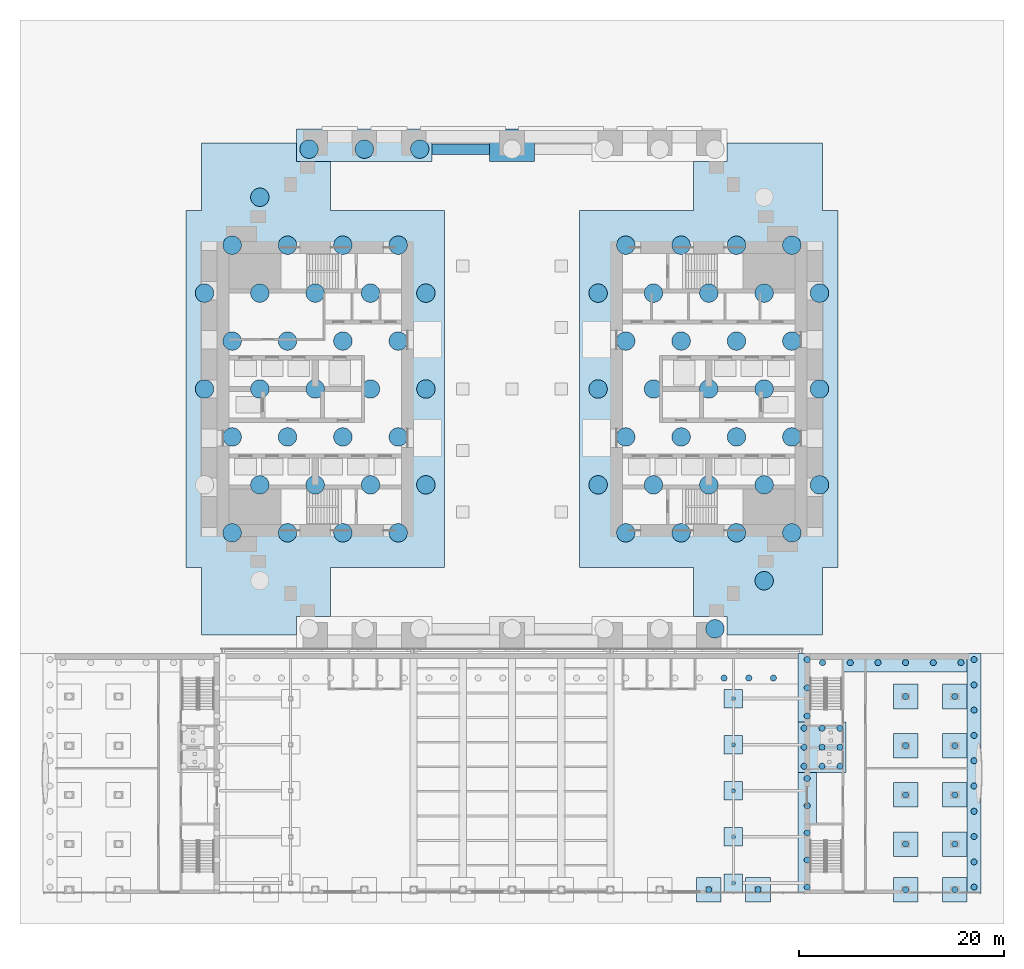
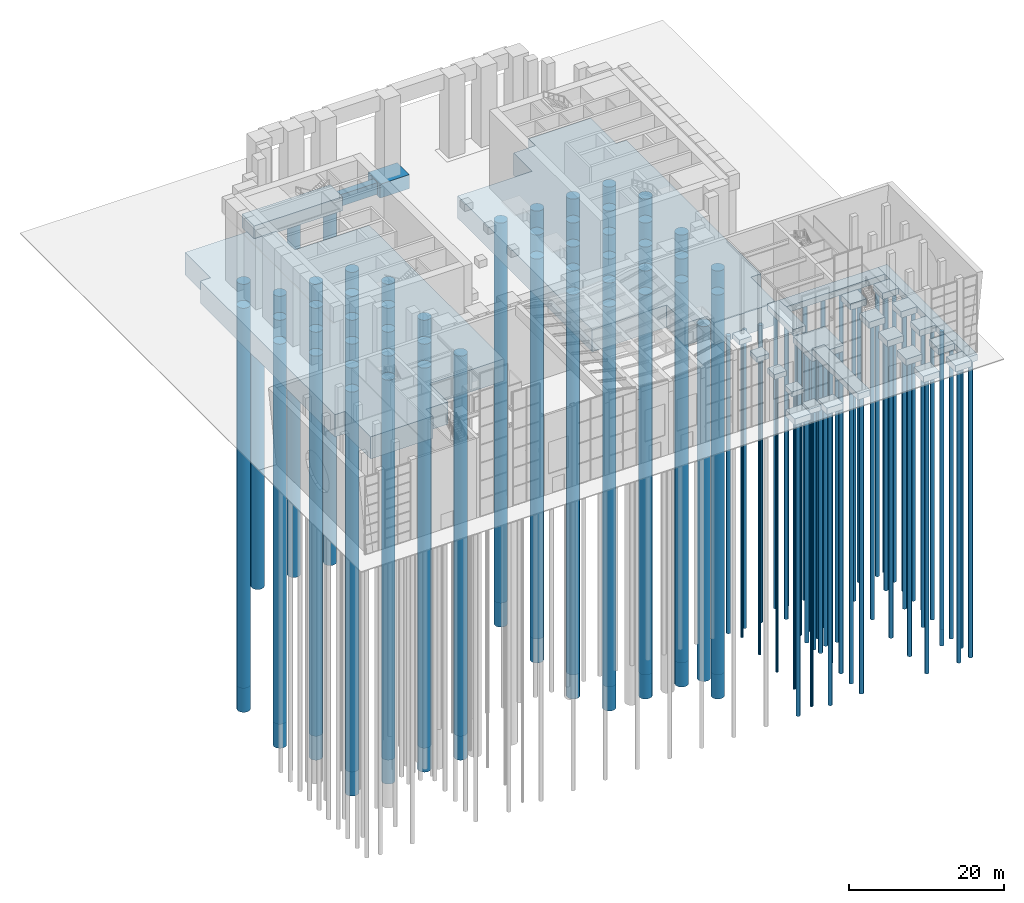
# One storey, part 2 of 58: 120 piles, 27 footings.
"""IFC4 building model written with IfcOpenShell, lengths in metres."""

from ifc_helpers import new_model, si_unit, direction, frame, origin, origin_2d, place, context, subcontext, project, spatial, polyline, circle, outline, extrude, material, material_profile, profile_set, type_object, element, save


model = new_model("IFC4")

# Units and contexts
model_context = context("Model", 3, precision=1e-05, world=origin(), true_north=direction((0.0, 1.0)))
body_context = subcontext(model_context, "Body", "Model", "MODEL_VIEW")
ifc_project = project(units=[si_unit("LENGTHUNIT", "METRE"), si_unit("AREAUNIT", "SQUARE_METRE"), si_unit("VOLUMEUNIT", "CUBIC_METRE"), si_unit("PLANEANGLEUNIT", "RADIAN"), si_unit("MASSUNIT", "GRAM", prefix="KILO")], contexts=[model_context])

# Site, building, storey
site_placement = place(None, origin())
site = spatial("IfcSite", under=ifc_project, at=site_placement, CompositionType="ELEMENT")
building_placement = place(site_placement, origin())
building = spatial("IfcBuilding", under=site, at=building_placement, Name="Baori Bourse Tower", CompositionType="ELEMENT")
storey_placement = place(building_placement, origin())
storey = spatial("IfcBuildingStorey", under=building, at=storey_placement, Name="L00", CompositionType="ELEMENT", Elevation=0.0)

# Piles
ifc_material_1 = material(Name="Concrete f'c 40 MPa", Category="concrete")
ifc_material_profile_1 = material_profile(ifc_material_1, circle(Radius=0.89990234375, at=origin_2d()), Name="RC D1800")
ifc_profile_set_1 = profile_set([ifc_material_profile_1], Name="Concrete f'c 40 MPa")
pile_type_1 = type_object("IfcPileType", Name="Bored pile RC D1800", PredefinedType="BORED", material=ifc_profile_set_1)
for number, where, z_axis, x_axis, name in (
    (1, (53.39990234375, 5.2939453125, -5.199951171875), (0.0, 0.0, -1.0), (1.0, 0.0, 0.0), "Bored pile RF1-01"),
    (2, (39.89990234375, 9.970458984375, -5.199951171875), (0.0, 0.0, -1.0), (1.0, 0.0, 0.0), "Bored pile RF1-02"),
    (3, (45.300048828125, 9.970458984375, -5.199951171875), (0.0, 0.0, -1.0), (1.0, 0.0, 0.0), "Bored pile RF1-03"),
    (4, (50.699951171875, 9.970458984375, -5.199951171875), (0.0, 0.0, -1.0), (1.0, 0.0, 0.0), "Bored pile RF1-04"),
    (5, (56.10009765625, 9.970458984375, -5.199951171875), (0.0, 0.0, -1.0), (1.0, 0.0, 0.0), "Bored pile RF1-05"),
    (6, (37.199951171875, 14.64697265625, -5.199951171875), (0.0, 0.0, -1.0), (1.0, 0.0, 0.0), "Bored pile RF1-06"),
    (7, (42.60009765625, 14.64697265625, -5.199951171875), (0.0, 0.0, -1.0), (1.0, 0.0, 0.0), "Bored pile RF1-07"),
    (8, (48.0, 14.64697265625, -5.199951171875), (0.0, 0.0, -1.0), (1.0, 0.0, 0.0), "Bored pile RF1-08"),
    (9, (53.39990234375, 14.64697265625, -5.199951171875), (0.0, 0.0, -1.0), (1.0, 0.0, 0.0), "Bored pile RF1-09"),
    (10, (58.800048828125, 14.64697265625, -5.199951171875), (0.0, 0.0, -1.0), (1.0, 0.0, 0.0), "Bored pile RF1-10"),
    (11, (39.89990234375, 19.323486328125, -5.199951171875), (0.0, 0.0, -1.0), (1.0, 0.0, 0.0), "Bored pile RF1-11"),
    (12, (45.300048828125, 19.323486328125, -5.199951171875), (0.0, 0.0, -1.0), (1.0, 0.0, 0.0), "Bored pile RF1-12"),
    (13, (50.699951171875, 19.323486328125, -5.199951171875), (0.0, 0.0, -1.0), (1.0, 0.0, 0.0), "Bored pile RF1-13"),
    (14, (56.10009765625, 19.323486328125, -5.199951171875), (0.0, 0.0, -1.0), (1.0, 0.0, 0.0), "Bored pile RF1-14"),
    (15, (37.199951171875, 24.0, -5.199951171875), (0.0, 0.0, -1.0), (1.0, 0.0, 0.0), "Bored pile RF1-15"),
    (16, (42.60009765625, 24.0, -5.199951171875), (0.0, 0.0, -1.0), (1.0, 0.0, 0.0), "Bored pile RF1-16"),
    (17, (48.0, 24.0, -5.199951171875), (0.0, 0.0, -1.0), (1.0, 0.0, 0.0), "Bored pile RF1-17"),
    (18, (53.39990234375, 24.0, -5.199951171875), (0.0, 0.0, -1.0), (1.0, 0.0, 0.0), "Bored pile RF1-18"),
    (19, (58.800048828125, 24.0, -5.199951171875), (0.0, 0.0, -1.0), (1.0, 0.0, 0.0), "Bored pile RF1-19"),
    (20, (39.89990234375, 28.676513671875, -5.199951171875), (0.0, 0.0, -1.0), (1.0, 0.0, 0.0), "Bored pile RF1-20"),
    (21, (45.300048828125, 28.676513671875, -5.199951171875), (0.0, 0.0, -1.0), (1.0, 0.0, 0.0), "Bored pile RF1-21"),
    (22, (50.699951171875, 28.676513671875, -5.199951171875), (0.0, 0.0, -1.0), (1.0, 0.0, 0.0), "Bored pile RF1-22"),
    (23, (56.10009765625, 28.676513671875, -5.199951171875), (0.0, 0.0, -1.0), (1.0, 0.0, 0.0), "Bored pile RF1-23"),
    (24, (37.199951171875, 33.35302734375, -5.199951171875), (0.0, 0.0, -1.0), (1.0, 0.0, 0.0), "Bored pile RF1-24"),
    (25, (42.60009765625, 33.35302734375, -5.199951171875), (0.0, 0.0, -1.0), (1.0, 0.0, 0.0), "Bored pile RF1-25"),
    (26, (48.0, 33.35302734375, -5.199951171875), (0.0, 0.0, -1.0), (1.0, 0.0, 0.0), "Bored pile RF1-26"),
    (27, (53.39990234375, 33.35302734375, -5.199951171875), (0.0, 0.0, -1.0), (1.0, 0.0, 0.0), "Bored pile RF1-27"),
    (28, (58.800048828125, 33.35302734375, -5.199951171875), (0.0, 0.0, -1.0), (1.0, 0.0, 0.0), "Bored pile RF1-28"),
    (29, (39.89990234375, 38.029541015625, -5.199951171875), (0.0, 0.0, -1.0), (1.0, 0.0, 0.0), "Bored pile RF1-29"),
    (30, (45.300048828125, 38.029541015625, -5.199951171875), (0.0, 0.0, -1.0), (1.0, 0.0, 0.0), "Bored pile RF1-30"),
    (31, (50.699951171875, 38.029541015625, -5.199951171875), (0.0, 0.0, -1.0), (1.0, 0.0, 0.0), "Bored pile RF1-31"),
    (32, (56.10009765625, 38.029541015625, -5.199951171875), (0.0, 0.0, -1.0), (1.0, 0.0, 0.0), "Bored pile RF1-32"),
    (33, (1.5, 9.970458984375, -5.199951171875), (0.0, 0.0, -1.0), (1.0, 0.0, 0.0), "Bored pile RF2-02"),
    (34, (6.89990234375, 9.970458984375, -5.199951171875), (0.0, 0.0, -1.0), (1.0, 0.0, 0.0), "Bored pile RF2-03"),
    (35, (12.300048828125, 9.970458984375, -5.199951171875), (0.0, 0.0, -1.0), (1.0, 0.0, 0.0), "Bored pile RF2-04"),
    (36, (17.699951171875, 9.970458984375, -5.199951171875), (0.0, 0.0, -1.0), (1.0, 0.0, 0.0), "Bored pile RF2-05"),
    (37, (4.199951171875, 14.64697265625, -5.199951171875), (0.0, 0.0, -1.0), (1.0, 0.0, 0.0), "Bored pile RF2-07"),
    (38, (9.60009765625, 14.64697265625, -5.199951171875), (0.0, 0.0, -1.0), (1.0, 0.0, 0.0), "Bored pile RF2-08"),
    (39, (15.0, 14.64697265625, -5.199951171875), (0.0, 0.0, -1.0), (1.0, 0.0, 0.0), "Bored pile RF2-09"),
    (40, (20.39990234375, 14.64697265625, -5.199951171875), (0.0, 0.0, -1.0), (1.0, 0.0, 0.0), "Bored pile RF2-10"),
    (41, (1.5, 19.323486328125, -5.199951171875), (0.0, 0.0, -1.0), (1.0, 0.0, 0.0), "Bored pile RF2-11"),
    (42, (6.89990234375, 19.323486328125, -5.199951171875), (0.0, 0.0, -1.0), (1.0, 0.0, 0.0), "Bored pile RF2-12"),
    (43, (12.300048828125, 19.323486328125, -5.199951171875), (0.0, 0.0, -1.0), (1.0, 0.0, 0.0), "Bored pile RF2-13"),
    (44, (17.699951171875, 19.323486328125, -5.199951171875), (0.0, 0.0, -1.0), (1.0, 0.0, 0.0), "Bored pile RF2-14"),
    (45, (-1.199951171875, 24.0, -5.199951171875), (0.0, 0.0, -1.0), (1.0, 0.0, 0.0), "Bored pile RF2-15"),
    (46, (4.199951171875, 24.0, -5.199951171875), (0.0, 0.0, -1.0), (1.0, 0.0, 0.0), "Bored pile RF2-16"),
    (47, (9.60009765625, 24.0, -5.199951171875), (0.0, 0.0, -1.0), (1.0, 0.0, 0.0), "Bored pile RF2-17"),
    (48, (15.0, 24.0, -5.199951171875), (0.0, 0.0, -1.0), (1.0, 0.0, 0.0), "Bored pile RF2-18"),
    (49, (20.39990234375, 24.0, -5.199951171875), (0.0, 0.0, -1.0), (1.0, 0.0, 0.0), "Bored pile RF2-19"),
    (50, (1.5, 28.676513671875, -5.199951171875), (0.0, 0.0, -1.0), (1.0, 0.0, 0.0), "Bored pile RF2-20"),
    (51, (6.89990234375, 28.676513671875, -5.199951171875), (0.0, 0.0, -1.0), (1.0, 0.0, 0.0), "Bored pile RF2-21"),
    (52, (12.300048828125, 28.676513671875, -5.199951171875), (0.0, 0.0, -1.0), (1.0, 0.0, 0.0), "Bored pile RF2-22"),
    (53, (17.699951171875, 28.676513671875, -5.199951171875), (0.0, 0.0, -1.0), (1.0, 0.0, 0.0), "Bored pile RF2-23"),
    (54, (-1.199951171875, 33.35302734375, -5.199951171875), (0.0, 0.0, -1.0), (1.0, 0.0, 0.0), "Bored pile RF2-24"),
    (55, (4.199951171875, 33.35302734375, -5.199951171875), (0.0, 0.0, -1.0), (1.0, 0.0, 0.0), "Bored pile RF2-25"),
    (56, (9.60009765625, 33.35302734375, -5.199951171875), (0.0, 0.0, -1.0), (1.0, 0.0, 0.0), "Bored pile RF2-26"),
    (57, (15.0, 33.35302734375, -5.199951171875), (0.0, 0.0, -1.0), (1.0, 0.0, 0.0), "Bored pile RF2-27"),
    (58, (20.39990234375, 33.35302734375, -5.199951171875), (0.0, 0.0, -1.0), (1.0, 0.0, 0.0), "Bored pile RF2-28"),
    (59, (1.5, 38.029541015625, -5.199951171875), (0.0, 0.0, -1.0), (1.0, 0.0, 0.0), "Bored pile RF2-29"),
    (60, (6.89990234375, 38.029541015625, -5.199951171875), (0.0, 0.0, -1.0), (1.0, 0.0, 0.0), "Bored pile RF2-30"),
    (61, (12.300048828125, 38.029541015625, -5.199951171875), (0.0, 0.0, -1.0), (1.0, 0.0, 0.0), "Bored pile RF2-31"),
    (62, (17.699951171875, 38.029541015625, -5.199951171875), (0.0, 0.0, -1.0), (1.0, 0.0, 0.0), "Bored pile RF2-32"),
    (63, (4.199951171875, 42.7060546875, -5.199951171875), (0.0, 0.0, -1.0), (1.0, 0.0, 0.0), "Bored pile RF2-33"),
):
    element("IfcPile", number, at=place(storey_placement, frame(where, z_axis=z_axis, x_axis=x_axis)), inside=storey, type_object=pile_type_1, Name=name, PredefinedType="BORED", context=body_context, shape_type="SweptSolid", body=[
        extrude(circle(Radius=0.89990234375, at=origin_2d()), origin(), (0.0, 0.0, 1.0), 60.0),
    ])
for number, where, z_axis, x_axis, name in (
    (64, (48.60009765625, 0.60009765625, -1.89990234375), (0.0, 0.0, -1.0), (1.0, 0.0, 0.0), "Bored pile PC3-03"),
    (65, (9.0, 47.39990234375, -1.89990234375), (0.0, 0.0, -1.0), (1.0, 0.0, 0.0), "Bored pile PC4-01"),
    (66, (14.39990234375, 47.39990234375, -1.89990234375), (0.0, 0.0, -1.0), (1.0, 0.0, 0.0), "Bored pile PC4-02"),
    (67, (19.800048828125, 47.39990234375, -1.89990234375), (0.0, 0.0, -1.0), (1.0, 0.0, 0.0), "Bored pile PC4-03"),
):
    element("IfcPile", number, at=place(storey_placement, frame(where, z_axis=z_axis, x_axis=x_axis)), inside=storey, type_object=pile_type_1, Name=name, PredefinedType="BORED", context=body_context, shape_type="SweptSolid", body=[
        extrude(circle(Radius=0.89990234375, at=origin_2d()), origin(), (0.0, 0.0, 1.0), 56.0),
    ])
ifc_material_2 = material(Name="Concrete f'c 40 MPa", Category="concrete")
ifc_material_profile_2 = material_profile(ifc_material_2, circle(Radius=0.199951171875, at=origin_2d()), Name="Gallery bored pile 400")
ifc_profile_set_2 = profile_set([ifc_material_profile_2], Name="Concrete f'c 40 MPa")
pile_type_2 = type_object("IfcPileType", Name="Gallery bored pile 400", PredefinedType="BORED", material=ifc_profile_set_2)
for number, where, z_axis, x_axis, name in (
    (68, (50.39990234375, -24.199951171875, -1.0), (0.0, 0.0, -1.0), (1.0, 0.0, 0.0), "wing/L00/pile/037"),
    (69, (50.39990234375, -19.699951171875, -1.0), (0.0, 0.0, -1.0), (1.0, 0.0, 0.0), "wing/L00/pile/038"),
    (70, (50.39990234375, -15.199951171875, -1.0), (0.0, 0.0, -1.0), (1.0, 0.0, 0.0), "wing/L00/pile/039"),
    (71, (50.39990234375, -10.699951171875, -1.0), (0.0, 0.0, -1.0), (1.0, 0.0, 0.0), "wing/L00/pile/040"),
    (72, (50.39990234375, -6.199951171875, -1.0), (0.0, 0.0, -1.0), (1.0, 0.0, 0.0), "wing/L00/pile/041"),
):
    element("IfcPile", number, at=place(storey_placement, frame(where, z_axis=z_axis, x_axis=x_axis)), inside=storey, type_object=pile_type_2, Name=name, PredefinedType="BORED", context=body_context, shape_type="SweptSolid", body=[
        extrude(circle(Radius=0.199951171875, at=origin_2d()), origin(), (0.0, 0.0, 1.0), 47.0),
    ])

# Footings
ifc_material_3 = material(Name="Concrete f'c 40 MPa", Category="concrete")
footing_type_1 = type_object("IfcFootingType", Name="Gallery pile cap 1800", PredefinedType="PILE_CAP", material=ifc_material_3)
footing_1_placement = place(storey_placement, frame((0.0, 0.0, -1.10009765625)))
element("IfcFooting", 73, at=footing_1_placement, inside=storey, type_object=footing_type_1, Name="wing/L00/gcap/006", PredefinedType="PILE_CAP", context=body_context, shape_type="SweptSolid", body=[
    extrude(outline(polyline([(49.5, -25.10009765625), (51.300048828125, -25.10009765625), (51.300048828125, -23.300048828125), (49.5, -23.300048828125), (49.5, -25.10009765625)])), origin(), (0.0, 0.0, 1.0), 0.800048828125),
])
footing_2_placement = place(storey_placement, frame((0.0, 0.0, -1.10009765625)))
element("IfcFooting", 74, at=footing_2_placement, inside=storey, type_object=footing_type_1, Name="wing/L00/gcap/007", PredefinedType="PILE_CAP", context=body_context, shape_type="SweptSolid", body=[
    extrude(outline(polyline([(49.5, -20.60009765625), (51.300048828125, -20.60009765625), (51.300048828125, -18.800048828125), (49.5, -18.800048828125), (49.5, -20.60009765625)])), origin(), (0.0, 0.0, 1.0), 0.800048828125),
])
footing_3_placement = place(storey_placement, frame((0.0, 0.0, -1.10009765625)))
element("IfcFooting", 75, at=footing_3_placement, inside=storey, type_object=footing_type_1, Name="wing/L00/gcap/008", PredefinedType="PILE_CAP", context=body_context, shape_type="SweptSolid", body=[
    extrude(outline(polyline([(49.5, -16.10009765625), (51.300048828125, -16.10009765625), (51.300048828125, -14.300048828125), (49.5, -14.300048828125), (49.5, -16.10009765625)])), origin(), (0.0, 0.0, 1.0), 0.800048828125),
])
footing_4_placement = place(storey_placement, frame((0.0, 0.0, -1.10009765625)))
element("IfcFooting", 76, at=footing_4_placement, inside=storey, type_object=footing_type_1, Name="wing/L00/gcap/009", PredefinedType="PILE_CAP", context=body_context, shape_type="SweptSolid", body=[
    extrude(outline(polyline([(49.5, -11.60009765625), (51.300048828125, -11.60009765625), (51.300048828125, -9.800048828125), (49.5, -9.800048828125), (49.5, -11.60009765625)])), origin(), (0.0, 0.0, 1.0), 0.800048828125),
])
footing_5_placement = place(storey_placement, frame((0.0, 0.0, -1.10009765625)))
element("IfcFooting", 77, at=footing_5_placement, inside=storey, type_object=footing_type_1, Name="wing/L00/gcap/010", PredefinedType="PILE_CAP", context=body_context, shape_type="SweptSolid", body=[
    extrude(outline(polyline([(49.5, -7.10009765625), (51.300048828125, -7.10009765625), (51.300048828125, -5.300048828125), (49.5, -5.300048828125), (49.5, -7.10009765625)])), origin(), (0.0, 0.0, 1.0), 0.800048828125),
])
ifc_material_4 = material(Name="Concrete f'c 40 MPa", Category="concrete")
footing_type_2 = type_object("IfcFootingType", Name="Pile cap 4.4 x 3.15 x 2.2", PredefinedType="PILE_CAP", material=ifc_material_4)
footing_6_placement = place(storey_placement, frame((0.0, 0.0, -2.199951171875)))
element("IfcFooting", 78, at=footing_6_placement, inside=storey, type_object=footing_type_2, Name="Pile cap north centre", PredefinedType="PILE_CAP", context=body_context, shape_type="SweptSolid", body=[
    extrude(outline(polyline([(31.0, 46.199951171875), (31.0, 49.35009765625), (26.60009765625, 49.35009765625), (26.60009765625, 46.199951171875), (31.0, 46.199951171875)])), origin(), (0.0, 0.0, 1.0), 2.199951171875),
])
ifc_material_5 = material(Name="Concrete f'c 40 MPa", Category="concrete")
footing_type_3 = type_object("IfcFootingType", Name="Pile cap strip 13.2 x 3.15 x 2.2", PredefinedType="PILE_CAP", material=ifc_material_5)
footing_7_placement = place(storey_placement, frame((0.0, 0.0, -2.199951171875)))
element("IfcFooting", 79, at=footing_7_placement, inside=storey, type_object=footing_type_3, Name="Pile cap strip north west", PredefinedType="PILE_CAP", context=body_context, shape_type="SweptSolid", body=[
    extrude(outline(polyline([(21.0, 46.199951171875), (21.0, 49.35009765625), (7.800048828125, 49.35009765625), (7.800048828125, 46.199951171875), (21.0, 46.199951171875)])), origin(), (0.0, 0.0, 1.0), 2.199951171875),
])
ifc_material_6 = material(Name="Concrete f'c 40 MPa", Category="concrete")
footing_type_4 = type_object("IfcFootingType", Name="Piled raft 25.2 x 34.8 x 3.5", PredefinedType="PILE_CAP", material=ifc_material_6)
footing_8_placement = place(storey_placement, frame((0.0, 0.0, -5.5)))
element("IfcFooting", 80, at=footing_8_placement, inside=storey, type_object=footing_type_4, Name="Piled raft E", PredefinedType="PILE_CAP", context=body_context, shape_type="SweptSolid", body=[
    extrude(outline(polyline([(46.5, 46.199951171875), (46.5, 41.39990234375), (35.39990234375, 41.39990234375), (35.39990234375, 6.60009765625), (46.5, 6.60009765625), (46.5, 1.800048828125), (49.800048828125, 1.800048828125), (49.800048828125, 0.0), (59.10009765625, 0.0), (59.10009765625, 6.60009765625), (60.60009765625, 6.60009765625), (60.60009765625, 41.39990234375), (59.10009765625, 41.39990234375), (59.10009765625, 48.0), (49.800048828125, 48.0), (49.800048828125, 46.199951171875), (46.5, 46.199951171875)])), origin(), (0.0, 0.0, 1.0), 3.5),
])
footing_9_placement = place(storey_placement, frame((0.0, 0.0, -5.5)))
element("IfcFooting", 81, at=footing_9_placement, inside=storey, type_object=footing_type_4, Name="Piled raft W", PredefinedType="PILE_CAP", context=body_context, shape_type="SweptSolid", body=[
    extrude(outline(polyline([(-1.5, 48.0), (-1.5, 41.39990234375), (-3.0, 41.39990234375), (-3.0, 6.60009765625), (-1.5, 6.60009765625), (-1.5, 0.0), (7.800048828125, 0.0), (7.800048828125, 1.800048828125), (11.10009765625, 1.800048828125), (11.10009765625, 6.60009765625), (22.199951171875, 6.60009765625), (22.199951171875, 41.39990234375), (11.10009765625, 41.39990234375), (11.10009765625, 46.199951171875), (7.800048828125, 46.199951171875), (7.800048828125, 48.0), (-1.5, 48.0)])), origin(), (0.0, 0.0, 1.0), 3.5),
])
ifc_material_7 = material(Name="Concrete f'c 40 MPa", Category="concrete")
footing_type_5 = type_object("IfcFootingType", Name="Tie beam 1 x 1.85", PredefinedType="FOOTING_BEAM", material=ifc_material_7)
footing_10_placement = place(storey_placement, frame((0.0, 0.0, -2.0)))
element("IfcFooting", 82, at=footing_10_placement, inside=storey, type_object=footing_type_5, Name="Tie beam FB3", PredefinedType="FOOTING_BEAM", context=body_context, shape_type="SweptSolid", body=[
    extrude(outline(polyline([(26.60009765625, 46.89990234375), (26.60009765625, 47.89990234375), (21.0, 47.89990234375), (21.0, 46.89990234375), (26.60009765625, 46.89990234375)])), origin(), (0.0, 0.0, 1.0), 1.85009765625),
])

# Piles
ifc_material_8 = material(Name="Concrete f'c 40 MPa", Category="concrete")
ifc_material_profile_3 = material_profile(ifc_material_8, circle(Radius=0.300048828125, at=origin_2d()), Name="Wing bored pile 600")
ifc_profile_set_3 = profile_set([ifc_material_profile_3], Name="Concrete f'c 40 MPa")
pile_type_3 = type_object("IfcPileType", Name="Wing bored pile 600", PredefinedType="BORED", material=ifc_profile_set_3)
for number, where, z_axis, x_axis, name in (
    (83, (72.0, -24.85009765625, -1.199951171875), (0.0, 0.0, -1.0), (1.0, 0.0, 0.0), "wing/L00/pile/011"),
    (84, (72.0, -20.39990234375, -1.199951171875), (0.0, 0.0, -1.0), (1.0, 0.0, 0.0), "wing/L00/pile/012"),
    (85, (72.0, -15.60009765625, -1.199951171875), (0.0, 0.0, -1.0), (1.0, 0.0, 0.0), "wing/L00/pile/013"),
    (86, (72.0, -10.800048828125, -1.199951171875), (0.0, 0.0, -1.0), (1.0, 0.0, 0.0), "wing/L00/pile/014"),
    (87, (72.0, -6.0, -1.199951171875), (0.0, 0.0, -1.0), (1.0, 0.0, 0.0), "wing/L00/pile/015"),
    (88, (67.199951171875, -24.85009765625, -1.199951171875), (0.0, 0.0, -1.0), (1.0, 0.0, 0.0), "wing/L00/pile/016"),
    (89, (67.199951171875, -20.39990234375, -1.199951171875), (0.0, 0.0, -1.0), (1.0, 0.0, 0.0), "wing/L00/pile/017"),
    (90, (67.199951171875, -15.60009765625, -1.199951171875), (0.0, 0.0, -1.0), (1.0, 0.0, 0.0), "wing/L00/pile/018"),
    (91, (67.199951171875, -10.800048828125, -1.199951171875), (0.0, 0.0, -1.0), (1.0, 0.0, 0.0), "wing/L00/pile/019"),
    (92, (67.199951171875, -6.0, -1.199951171875), (0.0, 0.0, -1.0), (1.0, 0.0, 0.0), "wing/L00/pile/020"),
    (93, (48.0, -24.85009765625, -1.199951171875), (0.0, 0.0, -1.0), (1.0, 0.0, 0.0), "wing/L00/pile/030"),
    (94, (52.800048828125, -24.85009765625, -1.199951171875), (0.0, 0.0, -1.0), (1.0, 0.0, 0.0), "wing/L00/pile/031"),
    (95, (73.875, -24.60009765625, -1.199951171875), (0.0, 0.0, -1.0), (1.0, 0.0, 0.0), "wing/L00/pile/052"),
    (96, (73.875, -22.13330078125, -1.199951171875), (0.0, 0.0, -1.0), (1.0, 0.0, 0.0), "wing/L00/pile/053"),
    (97, (73.875, -19.666748046875, -1.199951171875), (0.0, 0.0, -1.0), (1.0, 0.0, 0.0), "wing/L00/pile/054"),
    (98, (73.875, -17.199951171875, -1.199951171875), (0.0, 0.0, -1.0), (1.0, 0.0, 0.0), "wing/L00/pile/055"),
    (99, (73.875, -14.7333984375, -1.199951171875), (0.0, 0.0, -1.0), (1.0, 0.0, 0.0), "wing/L00/pile/056"),
    (100, (73.875, -12.2666015625, -1.199951171875), (0.0, 0.0, -1.0), (1.0, 0.0, 0.0), "wing/L00/pile/057"),
    (101, (73.875, -9.800048828125, -1.199951171875), (0.0, 0.0, -1.0), (1.0, 0.0, 0.0), "wing/L00/pile/058"),
    (102, (73.875, -7.333251953125, -1.199951171875), (0.0, 0.0, -1.0), (1.0, 0.0, 0.0), "wing/L00/pile/059"),
    (103, (73.875, -4.86669921875, -1.199951171875), (0.0, 0.0, -1.0), (1.0, 0.0, 0.0), "wing/L00/pile/060"),
    (104, (73.875, -2.39990234375, -1.199951171875), (0.0, 0.0, -1.0), (1.0, 0.0, 0.0), "wing/L00/pile/061"),
    (105, (59.10009765625, -2.699951171875, -1.199951171875), (0.0, 0.0, -1.0), (1.0, 0.0, 0.0), "wing/L00/pile/068"),
    (106, (61.800048828125, -2.699951171875, -1.199951171875), (0.0, 0.0, -1.0), (1.0, 0.0, 0.0), "wing/L00/pile/069"),
    (107, (64.5, -2.699951171875, -1.199951171875), (0.0, 0.0, -1.0), (1.0, 0.0, 0.0), "wing/L00/pile/070"),
    (108, (67.199951171875, -2.699951171875, -1.199951171875), (0.0, 0.0, -1.0), (1.0, 0.0, 0.0), "wing/L00/pile/071"),
    (109, (69.89990234375, -2.699951171875, -1.199951171875), (0.0, 0.0, -1.0), (1.0, 0.0, 0.0), "wing/L00/pile/072"),
    (110, (72.60009765625, -2.699951171875, -1.199951171875), (0.0, 0.0, -1.0), (1.0, 0.0, 0.0), "wing/L00/pile/073"),
    (111, (57.60009765625, -24.60009765625, -1.199951171875), (0.0, 0.0, -1.0), (1.0, 0.0, 0.0), "wing/L00/pile/079"),
    (112, (57.60009765625, -21.949951171875, -1.199951171875), (0.0, 0.0, -1.0), (1.0, 0.0, 0.0), "wing/L00/pile/080"),
    (113, (57.60009765625, -19.300048828125, -1.199951171875), (0.0, 0.0, -1.0), (1.0, 0.0, 0.0), "wing/L00/pile/081"),
    (114, (57.60009765625, -16.64990234375, -1.199951171875), (0.0, 0.0, -1.0), (1.0, 0.0, 0.0), "wing/L00/pile/082"),
    (115, (57.60009765625, -14.0, -1.199951171875), (0.0, 0.0, -1.0), (1.0, 0.0, 0.0), "wing/L00/pile/083"),
    (116, (57.60009765625, -7.89990234375, -1.199951171875), (0.0, 0.0, -1.0), (1.0, 0.0, 0.0), "wing/L00/pile/087"),
    (117, (57.60009765625, -5.14990234375, -1.199951171875), (0.0, 0.0, -1.0), (1.0, 0.0, 0.0), "wing/L00/pile/088"),
    (118, (57.60009765625, -2.39990234375, -1.199951171875), (0.0, 0.0, -1.0), (1.0, 0.0, 0.0), "wing/L00/pile/089"),
    (119, (49.5, -4.199951171875, -1.199951171875), (0.0, 0.0, -1.0), (1.0, 0.0, 0.0), "wing/L00/pile/110"),
    (120, (51.89990234375, -4.199951171875, -1.199951171875), (0.0, 0.0, -1.0), (1.0, 0.0, 0.0), "wing/L00/pile/111"),
    (121, (54.300048828125, -4.199951171875, -1.199951171875), (0.0, 0.0, -1.0), (1.0, 0.0, 0.0), "wing/L00/pile/112"),
):
    element("IfcPile", number, at=place(storey_placement, frame(where, z_axis=z_axis, x_axis=x_axis)), inside=storey, type_object=pile_type_3, Name=name, PredefinedType="BORED", context=body_context, shape_type="SweptSolid", body=[
        extrude(circle(Radius=0.300048828125, at=origin_2d()), origin(), (0.0, 0.0, 1.0), 47.0),
    ])
for number, where, z_axis, x_axis, name in (
    (122, (57.300048828125, -12.800048828125, -2.300048828125), (0.0, 0.0, -1.0), (1.0, 0.0, 0.0), "wing/L00/pile/122"),
    (123, (57.300048828125, -10.949951171875, -2.300048828125), (0.0, 0.0, -1.0), (1.0, 0.0, 0.0), "wing/L00/pile/123"),
    (124, (57.300048828125, -9.10009765625, -2.300048828125), (0.0, 0.0, -1.0), (1.0, 0.0, 0.0), "wing/L00/pile/124"),
    (125, (59.050048828125, -12.800048828125, -2.300048828125), (0.0, 0.0, -1.0), (1.0, 0.0, 0.0), "wing/L00/pile/125"),
    (126, (59.050048828125, -10.949951171875, -2.300048828125), (0.0, 0.0, -1.0), (1.0, 0.0, 0.0), "wing/L00/pile/126"),
    (127, (59.050048828125, -9.10009765625, -2.300048828125), (0.0, 0.0, -1.0), (1.0, 0.0, 0.0), "wing/L00/pile/127"),
    (128, (60.800048828125, -12.800048828125, -2.300048828125), (0.0, 0.0, -1.0), (1.0, 0.0, 0.0), "wing/L00/pile/128"),
    (129, (60.800048828125, -10.949951171875, -2.300048828125), (0.0, 0.0, -1.0), (1.0, 0.0, 0.0), "wing/L00/pile/129"),
    (130, (60.800048828125, -9.10009765625, -2.300048828125), (0.0, 0.0, -1.0), (1.0, 0.0, 0.0), "wing/L00/pile/130"),
):
    element("IfcPile", number, at=place(storey_placement, frame(where, z_axis=z_axis, x_axis=x_axis)), inside=storey, type_object=pile_type_3, Name=name, PredefinedType="BORED", context=body_context, shape_type="SweptSolid", body=[
        extrude(circle(Radius=0.300048828125, at=origin_2d()), origin(), (0.0, 0.0, 1.0), 46.0),
    ])

# Footings
ifc_material_9 = material(Name="Concrete f'c 40 MPa", Category="concrete")
footing_type_6 = type_object("IfcFootingType", Name="Wing lift raft 1000", PredefinedType="PILE_CAP", material=ifc_material_9)
footing_11_placement = place(storey_placement, frame((0.0, 0.0, -2.39990234375)))
element("IfcFooting", 131, at=footing_11_placement, inside=storey, type_object=footing_type_6, Name="wing/L00/raft/002", PredefinedType="PILE_CAP", context=body_context, shape_type="SweptSolid", body=[
    extrude(outline(polyline([(56.699951171875, -13.39990234375), (61.39990234375, -13.39990234375), (61.39990234375, -8.5), (56.699951171875, -8.5), (56.699951171875, -13.39990234375)])), origin(), (0.0, 0.0, 1.0), 1.0),
])
ifc_material_10 = material(Name="Concrete f'c 40 MPa", Category="concrete")
footing_type_7 = type_object("IfcFootingType", Name="Wing pile cap 2400", PredefinedType="PILE_CAP", material=ifc_material_10)
footing_12_placement = place(storey_placement, frame((0.0, 0.0, -1.300048828125)))
element("IfcFooting", 132, at=footing_12_placement, inside=storey, type_object=footing_type_7, Name="wing/L00/cap/011", PredefinedType="PILE_CAP", context=body_context, shape_type="SweptSolid", body=[
    extrude(outline(polyline([(70.800048828125, -26.050048828125), (73.199951171875, -26.050048828125), (73.199951171875, -23.64990234375), (70.800048828125, -23.64990234375), (70.800048828125, -26.050048828125)])), origin(), (0.0, 0.0, 1.0), 1.0),
])
footing_13_placement = place(storey_placement, frame((0.0, 0.0, -1.300048828125)))
element("IfcFooting", 133, at=footing_13_placement, inside=storey, type_object=footing_type_7, Name="wing/L00/cap/012", PredefinedType="PILE_CAP", context=body_context, shape_type="SweptSolid", body=[
    extrude(outline(polyline([(70.800048828125, -21.60009765625), (73.199951171875, -21.60009765625), (73.199951171875, -19.199951171875), (70.800048828125, -19.199951171875), (70.800048828125, -21.60009765625)])), origin(), (0.0, 0.0, 1.0), 1.0),
])
footing_14_placement = place(storey_placement, frame((0.0, 0.0, -1.300048828125)))
element("IfcFooting", 134, at=footing_14_placement, inside=storey, type_object=footing_type_7, Name="wing/L00/cap/013", PredefinedType="PILE_CAP", context=body_context, shape_type="SweptSolid", body=[
    extrude(outline(polyline([(70.800048828125, -16.800048828125), (73.199951171875, -16.800048828125), (73.199951171875, -14.39990234375), (70.800048828125, -14.39990234375), (70.800048828125, -16.800048828125)])), origin(), (0.0, 0.0, 1.0), 1.0),
])
footing_15_placement = place(storey_placement, frame((0.0, 0.0, -1.300048828125)))
element("IfcFooting", 135, at=footing_15_placement, inside=storey, type_object=footing_type_7, Name="wing/L00/cap/014", PredefinedType="PILE_CAP", context=body_context, shape_type="SweptSolid", body=[
    extrude(outline(polyline([(70.800048828125, -12.0), (73.199951171875, -12.0), (73.199951171875, -9.60009765625), (70.800048828125, -9.60009765625), (70.800048828125, -12.0)])), origin(), (0.0, 0.0, 1.0), 1.0),
])
footing_16_placement = place(storey_placement, frame((0.0, 0.0, -1.300048828125)))
element("IfcFooting", 136, at=footing_16_placement, inside=storey, type_object=footing_type_7, Name="wing/L00/cap/015", PredefinedType="PILE_CAP", context=body_context, shape_type="SweptSolid", body=[
    extrude(outline(polyline([(70.800048828125, -7.199951171875), (73.199951171875, -7.199951171875), (73.199951171875, -4.800048828125), (70.800048828125, -4.800048828125), (70.800048828125, -7.199951171875)])), origin(), (0.0, 0.0, 1.0), 1.0),
])
footing_17_placement = place(storey_placement, frame((0.0, 0.0, -1.300048828125)))
element("IfcFooting", 137, at=footing_17_placement, inside=storey, type_object=footing_type_7, Name="wing/L00/cap/016", PredefinedType="PILE_CAP", context=body_context, shape_type="SweptSolid", body=[
    extrude(outline(polyline([(66.0, -26.050048828125), (68.39990234375, -26.050048828125), (68.39990234375, -23.64990234375), (66.0, -23.64990234375), (66.0, -26.050048828125)])), origin(), (0.0, 0.0, 1.0), 1.0),
])
footing_18_placement = place(storey_placement, frame((0.0, 0.0, -1.300048828125)))
element("IfcFooting", 138, at=footing_18_placement, inside=storey, type_object=footing_type_7, Name="wing/L00/cap/017", PredefinedType="PILE_CAP", context=body_context, shape_type="SweptSolid", body=[
    extrude(outline(polyline([(66.0, -21.60009765625), (68.39990234375, -21.60009765625), (68.39990234375, -19.199951171875), (66.0, -19.199951171875), (66.0, -21.60009765625)])), origin(), (0.0, 0.0, 1.0), 1.0),
])
footing_19_placement = place(storey_placement, frame((0.0, 0.0, -1.300048828125)))
element("IfcFooting", 139, at=footing_19_placement, inside=storey, type_object=footing_type_7, Name="wing/L00/cap/018", PredefinedType="PILE_CAP", context=body_context, shape_type="SweptSolid", body=[
    extrude(outline(polyline([(66.0, -16.800048828125), (68.39990234375, -16.800048828125), (68.39990234375, -14.39990234375), (66.0, -14.39990234375), (66.0, -16.800048828125)])), origin(), (0.0, 0.0, 1.0), 1.0),
])
footing_20_placement = place(storey_placement, frame((0.0, 0.0, -1.300048828125)))
element("IfcFooting", 140, at=footing_20_placement, inside=storey, type_object=footing_type_7, Name="wing/L00/cap/019", PredefinedType="PILE_CAP", context=body_context, shape_type="SweptSolid", body=[
    extrude(outline(polyline([(66.0, -12.0), (68.39990234375, -12.0), (68.39990234375, -9.60009765625), (66.0, -9.60009765625), (66.0, -12.0)])), origin(), (0.0, 0.0, 1.0), 1.0),
])
footing_21_placement = place(storey_placement, frame((0.0, 0.0, -1.300048828125)))
element("IfcFooting", 141, at=footing_21_placement, inside=storey, type_object=footing_type_7, Name="wing/L00/cap/020", PredefinedType="PILE_CAP", context=body_context, shape_type="SweptSolid", body=[
    extrude(outline(polyline([(66.0, -7.199951171875), (68.39990234375, -7.199951171875), (68.39990234375, -4.800048828125), (66.0, -4.800048828125), (66.0, -7.199951171875)])), origin(), (0.0, 0.0, 1.0), 1.0),
])
footing_22_placement = place(storey_placement, frame((0.0, 0.0, -1.300048828125)))
element("IfcFooting", 142, at=footing_22_placement, inside=storey, type_object=footing_type_7, Name="wing/L00/cap/030", PredefinedType="PILE_CAP", context=body_context, shape_type="SweptSolid", body=[
    extrude(outline(polyline([(46.800048828125, -26.050048828125), (49.199951171875, -26.050048828125), (49.199951171875, -23.64990234375), (46.800048828125, -23.64990234375), (46.800048828125, -26.050048828125)])), origin(), (0.0, 0.0, 1.0), 1.0),
])
footing_23_placement = place(storey_placement, frame((0.0, 0.0, -1.300048828125)))
element("IfcFooting", 143, at=footing_23_placement, inside=storey, type_object=footing_type_7, Name="wing/L00/cap/031", PredefinedType="PILE_CAP", context=body_context, shape_type="SweptSolid", body=[
    extrude(outline(polyline([(51.60009765625, -26.050048828125), (54.0, -26.050048828125), (54.0, -23.64990234375), (51.60009765625, -23.64990234375), (51.60009765625, -26.050048828125)])), origin(), (0.0, 0.0, 1.0), 1.0),
])
ifc_material_11 = material(Name="Concrete f'c 40 MPa", Category="concrete")
footing_type_8 = type_object("IfcFootingType", Name="Wing strip footing 1350", PredefinedType="STRIP_FOOTING", material=ifc_material_11)
footing_24_placement = place(storey_placement, frame((0.0, 0.0, -1.300048828125)))
element("IfcFooting", 144, at=footing_24_placement, inside=storey, type_object=footing_type_8, Name="wing/L00/strip/002", PredefinedType="STRIP_FOOTING", context=body_context, shape_type="SweptSolid", body=[
    extrude(outline(polyline([(73.199951171875, -25.199951171875), (74.550048828125, -25.199951171875), (74.550048828125, -1.800048828125), (73.199951171875, -1.800048828125), (73.199951171875, -25.199951171875)])), origin(), (0.0, 0.0, 1.0), 1.0),
])
ifc_material_12 = material(Name="Concrete f'c 40 MPa", Category="concrete")
footing_type_9 = type_object("IfcFootingType", Name="Wing wall footing 1800", PredefinedType="STRIP_FOOTING", material=ifc_material_12)
footing_25_placement = place(storey_placement, frame((0.0, 0.0, -1.300048828125)))
element("IfcFooting", 145, at=footing_25_placement, inside=storey, type_object=footing_type_9, Name="wing/L00/strip/004", PredefinedType="STRIP_FOOTING", context=body_context, shape_type="SweptSolid", body=[
    extrude(outline(polyline([(58.5, -3.60009765625), (73.199951171875, -3.60009765625), (73.199951171875, -1.800048828125), (58.5, -1.800048828125), (58.5, -3.60009765625)])), origin(), (0.0, 0.0, 1.0), 1.0),
])
footing_26_placement = place(storey_placement, frame((0.0, 0.0, -1.300048828125)))
element("IfcFooting", 146, at=footing_26_placement, inside=storey, type_object=footing_type_9, Name="wing/L00/strip/006", PredefinedType="STRIP_FOOTING", context=body_context, shape_type="SweptSolid", body=[
    extrude(outline(polyline([(56.699951171875, -25.199951171875), (58.5, -25.199951171875), (58.5, -13.39990234375), (56.699951171875, -13.39990234375), (56.699951171875, -25.199951171875)])), origin(), (0.0, 0.0, 1.0), 1.0),
])
footing_27_placement = place(storey_placement, frame((0.0, 0.0, -1.300048828125)))
element("IfcFooting", 147, at=footing_27_placement, inside=storey, type_object=footing_type_9, Name="wing/L00/strip/008", PredefinedType="STRIP_FOOTING", context=body_context, shape_type="SweptSolid", body=[
    extrude(outline(polyline([(56.699951171875, -8.5), (58.5, -8.5), (58.5, -1.800048828125), (56.699951171875, -1.800048828125), (56.699951171875, -8.5)])), origin(), (0.0, 0.0, 1.0), 1.0),
])

save(model, "model.ifc")
